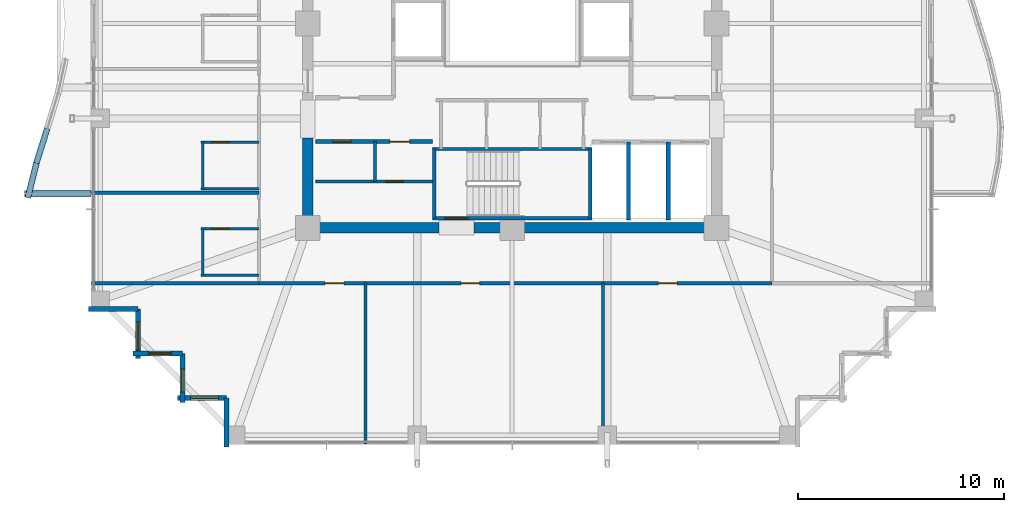
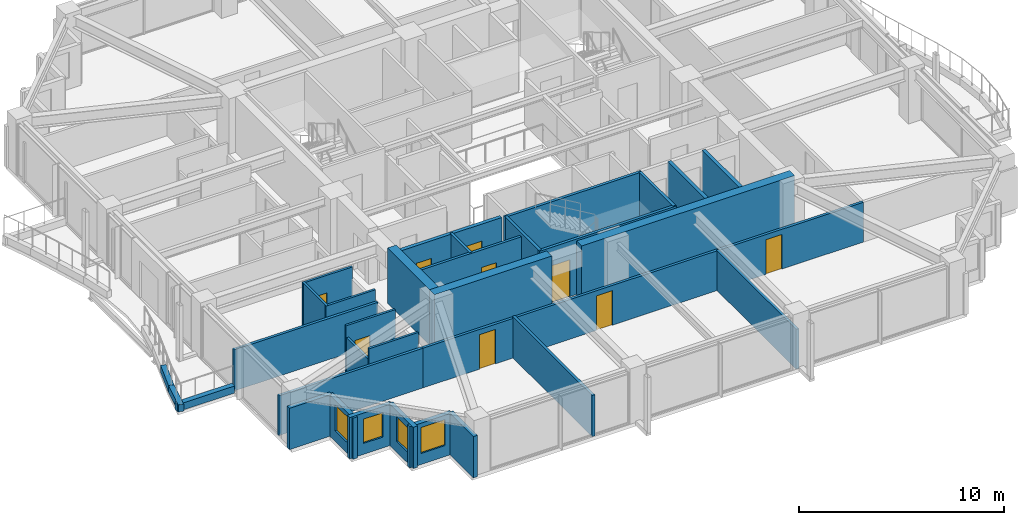
# One storey, part 29 of 35: 32 walls, 9 doors, 4 windows, 13 openings.
"""IFC4 building model written with IfcOpenShell, lengths in metres."""

from ifc_helpers import new_model, si_unit, direction, frame, frame_2d, origin, place, context, subcontext, project, spatial, rectangle, extrude, material, layer, layer_set, type_object, element, fill, save


model = new_model("IFC4")

# Units and contexts
model_context = context("Model", 3, precision=1e-05, world=origin(), true_north=direction((0.0, 1.0)))
body_context = subcontext(model_context, "Body", "Model", "MODEL_VIEW")
ifc_project = project(units=[si_unit("LENGTHUNIT", "METRE"), si_unit("AREAUNIT", "SQUARE_METRE"), si_unit("VOLUMEUNIT", "CUBIC_METRE"), si_unit("PLANEANGLEUNIT", "RADIAN"), si_unit("MASSUNIT", "GRAM", prefix="KILO")], contexts=[model_context])

# Site, building, storey
site_placement = place(None, origin())
site = spatial("IfcSite", under=ifc_project, at=site_placement, CompositionType="ELEMENT")
building_placement = place(site_placement, origin())
building = spatial("IfcBuilding", under=site, at=building_placement, Name="Kolvaren Belvedere", CompositionType="ELEMENT")
storey_placement = place(building_placement, frame((0.0, 0.0, 183.300048828125)))
storey = spatial("IfcBuildingStorey", under=building, at=storey_placement, Name="L53", CompositionType="ELEMENT", Elevation=183.300048828125)

# Walls
ifc_material_1 = material(Name="Concrete C50/60", Category="concrete")
ifc_layer_1 = layer(ifc_material_1, 0.5)
ifc_layer_set_1 = layer_set([ifc_layer_1], Name="Concrete C50/60")
wall_type_1 = type_object("IfcWallType", Name="CW-CORE-500", PredefinedType="SHEAR", material=ifc_layer_set_1)
wall_1_placement = place(storey_placement, frame((10.14990234375, -9.89990234375, 0.0), z_axis=(0.0, 0.0, 1.0), x_axis=(-1.0, 0.0, 0.0)))
element("IfcWall", 1, at=wall_1_placement, inside=storey, type_object=wall_type_1, Name="L53 South Core Shear Wall 1", PredefinedType="SHEAR", context=body_context, shape_type="SweptSolid", body=[
    extrude(rectangle(XDim=12.010009765625, YDim=0.5, at=frame_2d((6.0048828125, 0.0))), origin(), (0.0, 0.0, 1.0), 3.300048828125),
])
wall_2_placement = place(storey_placement, frame((-3.5400390625, -9.89990234375, 0.0), z_axis=(0.0, 0.0, 1.0), x_axis=(-1.0, 0.0, 0.0)))
element("IfcWall", 2, at=wall_2_placement, inside=storey, type_object=wall_type_1, Name="L53 South Core Shear Wall 2", PredefinedType="SHEAR", context=body_context, shape_type="SweptSolid", body=[
    extrude(rectangle(XDim=6.60986328125, YDim=0.5, at=frame_2d((3.304931640625, 0.0))), origin(), (0.0, 0.0, 1.0), 3.300048828125),
])
wall_3_placement = place(storey_placement, frame((-9.89990234375, -9.64990234375, 0.0), z_axis=(0.0, 0.0, 1.0), x_axis=(0.0, 1.0, 0.0)))
element("IfcWall", 3, at=wall_3_placement, inside=storey, type_object=wall_type_1, Name="L53 West Core Shear Wall 1", PredefinedType="SHEAR", context=body_context, shape_type="SweptSolid", body=[
    extrude(rectangle(XDim=4.099853515625, YDim=0.5, at=frame_2d((2.0498046875, 0.0))), origin(), (0.0, 0.0, 1.0), 3.300048828125),
])

# Wall, opening, door
ifc_material_2 = material(Name="Concrete C50/60", Category="concrete")
ifc_layer_2 = layer(ifc_material_2, 0.159912109375)
ifc_layer_set_2 = layer_set([ifc_layer_2], Name="Concrete C50/60")
wall_type_2 = type_object("IfcWallType", Name="CW-STAIR-160", PredefinedType="SHEAR", material=ifc_layer_set_2)
wall_4_placement = place(storey_placement, frame((3.860107421875, -9.429931640625, 0.0), z_axis=(0.0, 0.0, 1.0), x_axis=(-1.0, 0.0, 0.0)))
wall_4 = element("IfcWall", 4, at=wall_4_placement, inside=storey, type_object=wall_type_2, Name="L53 Stair ST-3 South Shear Wall", PredefinedType="SHEAR", context=body_context, shape_type="SweptSolid", body=[
    extrude(rectangle(XDim=7.72021484375, YDim=0.159912109375, at=frame_2d((3.860107421875, 0.0))), origin(), (0.0, 0.0, 1.0), 3.300048828125),
])
opening_1_placement = place(wall_4_placement, frame((6.010009765625, 0.0, 0.0)))
opening_1 = element("IfcOpeningElement", 5, at=opening_1_placement, cuts=wall_4, Name="Opening D-FD90", PredefinedType="OPENING", context=body_context, shape_type="SweptSolid", body=[
    extrude(rectangle(XDim=1.10009765625, YDim=2.199951171875, at=frame_2d((0.550048828125, 1.10009765625))), frame((0.0, 0.08984375, 0.0), z_axis=(0.0, -1.0, 0.0), x_axis=(1.0, 0.0, 0.0)), (0.0, 0.0, 1.0), 0.179931640625),
])
ifc_material_3 = material(Name="Painted hollow stainless steel", Category="steel")
door_type_1 = type_object("IfcDoorType", Name="DR-FD90-1100", OperationType="NOTDEFINED", PredefinedType="DOOR", material=ifc_material_3)
door_1_placement = place(opening_1_placement, origin())
door_1 = element("IfcDoor", 6, at=door_1_placement, inside=storey, type_object=door_type_1, Name="L53 Stair ST-3 Exit Door", OperationType="SINGLE_SWING_RIGHT", OverallHeight=2.199951171875, OverallWidth=1.10009765625, PredefinedType="DOOR", context=body_context, shape_type="SweptSolid", body=[
    extrude(rectangle(XDim=1.10009765625, YDim=2.199951171875, at=frame_2d((0.550048828125, 1.10009765625))), frame((0.0, 0.02490234375, 0.0), z_axis=(0.0, -1.0, 0.0), x_axis=(1.0, 0.0, 0.0)), (0.0, 0.0, 1.0), 0.050048828125),
])
fill(opening_1, door_1)

# Walls
wall_5_placement = place(storey_placement, frame((-3.860107421875, -6.080078125, 0.0), z_axis=(0.0, 0.0, 1.0), x_axis=(1.0, 0.0, 0.0)))
element("IfcWall", 7, at=wall_5_placement, inside=storey, type_object=wall_type_2, Name="L53 Stair ST-3 North Shear Wall", PredefinedType="SHEAR", context=body_context, shape_type="SweptSolid", body=[
    extrude(rectangle(XDim=7.72021484375, YDim=0.159912109375, at=frame_2d((3.860107421875, 0.0))), origin(), (0.0, 0.0, 1.0), 3.300048828125),
])
for number, where, z_axis, x_axis, name in (
    (8, (-3.780029296875, -9.429931640625, 0.0), (0.0, 0.0, 1.0), (0.0, 1.0, 0.0), "L53 Stair ST-3 West Shear Wall"),
    (9, (3.780029296875, -9.429931640625, 0.0), (0.0, 0.0, 1.0), (0.0, 1.0, 0.0), "L53 Stair ST-3 East Shear Wall"),
):
    element("IfcWall", number, at=place(storey_placement, frame(where, z_axis=z_axis, x_axis=x_axis)), inside=storey, type_object=wall_type_2, Name=name, PredefinedType="SHEAR", context=body_context, shape_type="SweptSolid", body=[
        extrude(rectangle(XDim=3.349853515625, YDim=0.159912109375, at=frame_2d((1.6748046875, 0.0))), origin(), (0.0, 0.0, 1.0), 3.300048828125),
    ])

# Wall, openings, doors
ifc_material_4 = material(Name="Gypsum fire-rated partition assembly", Category="gypsum")
ifc_layer_3 = layer(ifc_material_4, 0.14990234375)
ifc_layer_set_3 = layer_set([ifc_layer_3], Name="Gypsum fire-rated partition assembly")
wall_type_3 = type_object("IfcWallType", Name="WL-CORR-150", PredefinedType="PARTITIONING", material=ifc_layer_set_3)
wall_6_placement = place(storey_placement, frame((-12.260009765625, -12.580078125, 0.0), z_axis=(0.0, 0.0, 1.0), x_axis=(1.0, 0.0, 0.0)))
wall_6 = element("IfcWall", 10, at=wall_6_placement, inside=storey, type_object=wall_type_3, Name="L53 South Corridor Wall", PredefinedType="PARTITIONING", context=body_context, shape_type="SweptSolid", body=[
    extrude(rectangle(XDim=24.840087890625, YDim=0.14990234375, at=frame_2d((12.419921875, 0.0))), origin(), (0.0, 0.0, 1.0), 2.368896484375),
])
opening_2_placement = place(wall_6_placement, frame((3.203125, 0.0, 0.0)))
opening_2 = element("IfcOpeningElement", 11, at=opening_2_placement, cuts=wall_6, Name="Opening D-INT90", PredefinedType="OPENING", context=body_context, shape_type="SweptSolid", body=[
    extrude(rectangle(XDim=0.89990234375, YDim=2.06005859375, at=frame_2d((0.449951171875, 1.030029296875))), frame((0.0, 0.0849609375, 0.0), z_axis=(0.0, -1.0, 0.0), x_axis=(1.0, 0.0, 0.0)), (0.0, 0.0, 1.0), 0.169921875),
])
opening_3_placement = place(wall_6_placement, frame((9.780029296875, 0.0, 0.0)))
opening_3 = element("IfcOpeningElement", 12, at=opening_3_placement, cuts=wall_6, Name="Opening D-INT90", PredefinedType="OPENING", context=body_context, shape_type="SweptSolid", body=[
    extrude(rectangle(XDim=0.89990234375, YDim=2.06005859375, at=frame_2d((0.449951171875, 1.030029296875))), frame((0.0, 0.0849609375, 0.0), z_axis=(0.0, -1.0, 0.0), x_axis=(1.0, 0.0, 0.0)), (0.0, 0.0, 1.0), 0.169921875),
])
opening_4_placement = place(wall_6_placement, frame((19.344970703125, 0.0, 0.0)))
opening_4 = element("IfcOpeningElement", 13, at=opening_4_placement, cuts=wall_6, Name="Opening D-INT90", PredefinedType="OPENING", context=body_context, shape_type="SweptSolid", body=[
    extrude(rectangle(XDim=0.89990234375, YDim=2.06005859375, at=frame_2d((0.449951171875, 1.030029296875))), frame((0.0, 0.0849609375, 0.0), z_axis=(0.0, -1.0, 0.0), x_axis=(1.0, 0.0, 0.0)), (0.0, 0.0, 1.0), 0.169921875),
])
ifc_material_5 = material(Name="Stained Pacific white oak", Category="timber")
door_type_2 = type_object("IfcDoorType", Name="DR-INT-900", OperationType="NOTDEFINED", PredefinedType="DOOR", material=ifc_material_5)
door_2_placement = place(opening_2_placement, origin())
door_2 = element("IfcDoor", 14, at=door_2_placement, inside=storey, type_object=door_type_2, Name="L53 Wellness Yoga & Reading Gym 5301 Door", OperationType="SINGLE_SWING_LEFT", OverallHeight=2.06005859375, OverallWidth=0.89990234375, PredefinedType="DOOR", context=body_context, shape_type="SweptSolid", body=[
    extrude(rectangle(XDim=0.89990234375, YDim=2.06005859375, at=frame_2d((0.449951171875, 1.030029296875))), frame((0.0, 0.02490234375, 0.0), z_axis=(0.0, -1.0, 0.0), x_axis=(1.0, 0.0, 0.0)), (0.0, 0.0, 1.0), 0.050048828125),
])
fill(opening_2, door_2)
door_3_placement = place(opening_3_placement, origin())
door_3 = element("IfcDoor", 15, at=door_3_placement, inside=storey, type_object=door_type_2, Name="L53 Guest Tea & Espresso Kitchen 5302 Door", OperationType="SINGLE_SWING_RIGHT", OverallHeight=2.06005859375, OverallWidth=0.89990234375, PredefinedType="DOOR", context=body_context, shape_type="SweptSolid", body=[
    extrude(rectangle(XDim=0.89990234375, YDim=2.06005859375, at=frame_2d((0.449951171875, 1.030029296875))), frame((0.0, 0.02490234375, 0.0), z_axis=(0.0, -1.0, 0.0), x_axis=(1.0, 0.0, 0.0)), (0.0, 0.0, 1.0), 0.050048828125),
])
fill(opening_3, door_3)
door_4_placement = place(opening_4_placement, origin())
door_4 = element("IfcDoor", 16, at=door_4_placement, inside=storey, type_object=door_type_2, Name="L53 Lounge 5303 Door", OperationType="SINGLE_SWING_LEFT", OverallHeight=2.06005859375, OverallWidth=0.89990234375, PredefinedType="DOOR", context=body_context, shape_type="SweptSolid", body=[
    extrude(rectangle(XDim=0.89990234375, YDim=2.06005859375, at=frame_2d((0.449951171875, 1.030029296875))), frame((0.0, 0.02490234375, 0.0), z_axis=(0.0, -1.0, 0.0), x_axis=(1.0, 0.0, 0.0)), (0.0, 0.0, 1.0), 0.050048828125),
])
fill(opening_4, door_4)

# Wall
ifc_material_6 = material(Name="Insulated pale-metal facade wall assembly", Category="aluminium")
ifc_layer_4 = layer(ifc_material_6, 0.239990234375)
ifc_layer_set_4 = layer_set([ifc_layer_4], Name="Insulated pale-metal facade wall assembly")
wall_type_4 = type_object("IfcWallType", Name="WL-EXT-240", PredefinedType="STANDARD", material=ifc_layer_set_4)
wall_7_placement = place(storey_placement, frame((-18.1298828125, -13.830078125, 0.0), z_axis=(0.0, 0.0, 1.0), x_axis=(-1.0, 0.0, 0.0)))
element("IfcWall", 17, at=wall_7_placement, inside=storey, type_object=wall_type_4, Name="L53 Serrated Corner Facade Wall 23", PredefinedType="STANDARD", context=body_context, shape_type="SweptSolid", body=[
    extrude(rectangle(XDim=2.39013671875, YDim=0.239990234375, at=frame_2d((1.195068359375, 0.0))), origin(), (0.0, 0.0, 1.0), 2.462890625),
])

# Wall, opening, window
wall_8_placement = place(storey_placement, frame((-18.1298828125, -16.219970703125, 0.0), z_axis=(0.0, 0.0, 1.0), x_axis=(0.0, 1.0, 0.0)))
wall_8 = element("IfcWall", 18, at=wall_8_placement, inside=storey, type_object=wall_type_4, Name="L53 Serrated Corner Facade Wall 24", PredefinedType="STANDARD", context=body_context, shape_type="SweptSolid", body=[
    extrude(rectangle(XDim=2.389892578125, YDim=0.239990234375, at=frame_2d((1.19482421875, 0.0))), origin(), (0.0, 0.0, 1.0), 2.462890625),
])
opening_5_placement = place(wall_8_placement, frame((0.39990234375, 0.0, 0.64990234375)))
opening_5 = element("IfcOpeningElement", 19, at=opening_5_placement, cuts=wall_8, Name="Opening W-1350", PredefinedType="OPENING", context=body_context, shape_type="SweptSolid", body=[
    extrude(rectangle(XDim=1.35009765625, YDim=1.550048828125, at=frame_2d((0.675048828125, 0.77490234375))), frame((0.0, 0.1298828125, 0.0), z_axis=(0.0, -1.0, 0.0), x_axis=(1.0, 0.0, 0.0)), (0.0, 0.0, 1.0), 0.260009765625),
])
ifc_material_7 = material(Name="Low-iron triple insulated glass", Category="glass")
window_type_1 = type_object("IfcWindowType", Name="WN-CORN-1350", PartitioningType="SINGLE_PANEL", PredefinedType="WINDOW", material=ifc_material_7)
window_1_placement = place(opening_5_placement, origin())
window_1 = element("IfcWindow", 20, at=window_1_placement, inside=storey, type_object=window_type_1, Name="L53 Serrated Corner Vision Window 24", OverallHeight=1.550048828125, OverallWidth=1.35009765625, PartitioningType="SINGLE_PANEL", PredefinedType="WINDOW", context=body_context, shape_type="SweptSolid", body=[
    extrude(rectangle(XDim=1.35009765625, YDim=1.550048828125, at=frame_2d((0.675048828125, 0.77490234375))), frame((0.0, 0.030029296875, 0.0), z_axis=(0.0, -1.0, 0.0), x_axis=(1.0, 0.0, 0.0)), (0.0, 0.0, 1.0), 0.06005859375),
])
fill(opening_5, window_1)

wall_9_placement = place(storey_placement, frame((-15.97998046875, -15.97998046875, 0.0), z_axis=(0.0, 0.0, 1.0), x_axis=(-1.0, 0.0, 0.0)))
wall_9 = element("IfcWall", 21, at=wall_9_placement, inside=storey, type_object=wall_type_4, Name="L53 Serrated Corner Facade Wall 25", PredefinedType="STANDARD", context=body_context, shape_type="SweptSolid", body=[
    extrude(rectangle(XDim=2.39013671875, YDim=0.239990234375, at=frame_2d((1.195068359375, 0.0))), origin(), (0.0, 0.0, 1.0), 2.462890625),
])
opening_6_placement = place(wall_9_placement, frame((0.52490234375, 0.0, 0.64990234375)))
opening_6 = element("IfcOpeningElement", 22, at=opening_6_placement, cuts=wall_9, Name="Opening W-1100", PredefinedType="OPENING", context=body_context, shape_type="SweptSolid", body=[
    extrude(rectangle(XDim=1.10009765625, YDim=1.449951171875, at=frame_2d((0.550048828125, 0.72509765625))), frame((0.0, 0.1298828125, 0.0), z_axis=(0.0, -1.0, 0.0), x_axis=(1.0, 0.0, 0.0)), (0.0, 0.0, 1.0), 0.260009765625),
])
ifc_material_8 = material(Name="Low-iron triple insulated glass", Category="glass")
window_type_2 = type_object("IfcWindowType", Name="WN-CORN-1100", PartitioningType="SINGLE_PANEL", PredefinedType="WINDOW", material=ifc_material_8)
window_2_placement = place(opening_6_placement, origin())
window_2 = element("IfcWindow", 23, at=window_2_placement, inside=storey, type_object=window_type_2, Name="L53 Serrated Corner Vision Window 25", OverallHeight=1.449951171875, OverallWidth=1.10009765625, PartitioningType="SINGLE_PANEL", PredefinedType="WINDOW", context=body_context, shape_type="SweptSolid", body=[
    extrude(rectangle(XDim=1.10009765625, YDim=1.449951171875, at=frame_2d((0.550048828125, 0.72509765625))), frame((0.0, 0.030029296875, 0.0), z_axis=(0.0, -1.0, 0.0), x_axis=(1.0, 0.0, 0.0)), (0.0, 0.0, 1.0), 0.06005859375),
])
fill(opening_6, window_2)

wall_10_placement = place(storey_placement, frame((-15.97998046875, -18.3701171875, 0.0), z_axis=(0.0, 0.0, 1.0), x_axis=(0.0, 1.0, 0.0)))
wall_10 = element("IfcWall", 24, at=wall_10_placement, inside=storey, type_object=wall_type_4, Name="L53 Serrated Corner Facade Wall 26", PredefinedType="STANDARD", context=body_context, shape_type="SweptSolid", body=[
    extrude(rectangle(XDim=2.39013671875, YDim=0.239990234375, at=frame_2d((1.195068359375, 0.0))), origin(), (0.0, 0.0, 1.0), 2.462890625),
])
opening_7_placement = place(wall_10_placement, frame((0.52490234375, 0.0, 0.64990234375)))
opening_7 = element("IfcOpeningElement", 25, at=opening_7_placement, cuts=wall_10, Name="Opening W-1100", PredefinedType="OPENING", context=body_context, shape_type="SweptSolid", body=[
    extrude(rectangle(XDim=1.10009765625, YDim=1.449951171875, at=frame_2d((0.550048828125, 0.72509765625))), frame((0.0, 0.1298828125, 0.0), z_axis=(0.0, -1.0, 0.0), x_axis=(1.0, 0.0, 0.0)), (0.0, 0.0, 1.0), 0.260009765625),
])
window_3_placement = place(opening_7_placement, origin())
window_3 = element("IfcWindow", 26, at=window_3_placement, inside=storey, type_object=window_type_2, Name="L53 Serrated Corner Vision Window 26", OverallHeight=1.449951171875, OverallWidth=1.10009765625, PartitioningType="SINGLE_PANEL", PredefinedType="WINDOW", context=body_context, shape_type="SweptSolid", body=[
    extrude(rectangle(XDim=1.10009765625, YDim=1.449951171875, at=frame_2d((0.550048828125, 0.72509765625))), frame((0.0, 0.030029296875, 0.0), z_axis=(0.0, -1.0, 0.0), x_axis=(1.0, 0.0, 0.0)), (0.0, 0.0, 1.0), 0.06005859375),
])
fill(opening_7, window_3)

wall_11_placement = place(storey_placement, frame((-13.830078125, -18.1298828125, 0.0), z_axis=(0.0, 0.0, 1.0), x_axis=(-1.0, 0.0, 0.0)))
wall_11 = element("IfcWall", 27, at=wall_11_placement, inside=storey, type_object=wall_type_4, Name="L53 Serrated Corner Facade Wall 27", PredefinedType="STANDARD", context=body_context, shape_type="SweptSolid", body=[
    extrude(rectangle(XDim=2.389892578125, YDim=0.239990234375, at=frame_2d((1.19482421875, 0.0))), origin(), (0.0, 0.0, 1.0), 2.462890625),
])
opening_8_placement = place(wall_11_placement, frame((0.39990234375, 0.0, 0.64990234375)))
opening_8 = element("IfcOpeningElement", 28, at=opening_8_placement, cuts=wall_11, Name="Opening W-1350", PredefinedType="OPENING", context=body_context, shape_type="SweptSolid", body=[
    extrude(rectangle(XDim=1.35009765625, YDim=1.550048828125, at=frame_2d((0.675048828125, 0.77490234375))), frame((0.0, 0.1298828125, 0.0), z_axis=(0.0, -1.0, 0.0), x_axis=(1.0, 0.0, 0.0)), (0.0, 0.0, 1.0), 0.260009765625),
])
window_4_placement = place(opening_8_placement, origin())
window_4 = element("IfcWindow", 29, at=window_4_placement, inside=storey, type_object=window_type_1, Name="L53 Serrated Corner Vision Window 27", OverallHeight=1.550048828125, OverallWidth=1.35009765625, PartitioningType="SINGLE_PANEL", PredefinedType="WINDOW", context=body_context, shape_type="SweptSolid", body=[
    extrude(rectangle(XDim=1.35009765625, YDim=1.550048828125, at=frame_2d((0.675048828125, 0.77490234375))), frame((0.0, 0.030029296875, 0.0), z_axis=(0.0, -1.0, 0.0), x_axis=(1.0, 0.0, 0.0)), (0.0, 0.0, 1.0), 0.06005859375),
])
fill(opening_8, window_4)

# Wall
wall_12_placement = place(storey_placement, frame((-13.830078125, -20.52001953125, 0.0), z_axis=(0.0, 0.0, 1.0), x_axis=(0.0, 1.0, 0.0)))
element("IfcWall", 30, at=wall_12_placement, inside=storey, type_object=wall_type_4, Name="L53 Serrated Corner Facade Wall 28", PredefinedType="STANDARD", context=body_context, shape_type="SweptSolid", body=[
    extrude(rectangle(XDim=2.39013671875, YDim=0.239990234375, at=frame_2d((1.195068359375, 0.0))), origin(), (0.0, 0.0, 1.0), 2.462890625),
])

# Wall, opening, door
ifc_material_9 = material(Name="Gypsum acoustic partition assembly", Category="gypsum")
ifc_layer_5 = layer(ifc_material_9, 0.14990234375)
ifc_layer_set_5 = layer_set([ifc_layer_5], Name="Gypsum acoustic partition assembly")
wall_type_5 = type_object("IfcWallType", Name="WL-PART-150", PredefinedType="PARTITIONING", material=ifc_layer_set_5)
wall_13_placement = place(storey_placement, frame((-9.52001953125, -7.64990234375, 0.0), z_axis=(0.0, 0.0, 1.0), x_axis=(1.0, 0.0, 0.0)))
wall_13 = element("IfcWall", 31, at=wall_13_placement, inside=storey, type_object=wall_type_5, Name="L53 Reclaimed Mid H-Divider", PredefinedType="PARTITIONING", context=body_context, shape_type="SweptSolid", body=[
    extrude(rectangle(XDim=5.659912109375, YDim=0.14990234375, at=frame_2d((2.830078125, 0.0))), origin(), (0.0, 0.0, 1.0), 3.079833984375),
])
opening_9_placement = place(wall_13_placement, frame((3.39990234375, 0.0, 0.0)))
opening_9 = element("IfcOpeningElement", 32, at=opening_9_placement, cuts=wall_13, Name="Opening D-INT85", PredefinedType="OPENING", context=body_context, shape_type="SweptSolid", body=[
    extrude(rectangle(XDim=0.85009765625, YDim=2.030029296875, at=frame_2d((0.425048828125, 1.01513671875))), frame((0.0, 0.0849609375, 0.0), z_axis=(0.0, -1.0, 0.0), x_axis=(1.0, 0.0, 0.0)), (0.0, 0.0, 1.0), 0.169921875),
])
ifc_material_10 = material(Name="Stained Pacific white oak", Category="timber")
door_type_3 = type_object("IfcDoorType", Name="DR-INT-850", OperationType="NOTDEFINED", PredefinedType="DOOR", material=ifc_material_10)
door_5_placement = place(opening_9_placement, origin())
door_5 = element("IfcDoor", 33, at=door_5_placement, inside=storey, type_object=door_type_3, Name="L53 Tea Pantry Door", OperationType="SINGLE_SWING_LEFT", OverallHeight=2.030029296875, OverallWidth=0.85009765625, PredefinedType="DOOR", context=body_context, shape_type="SweptSolid", body=[
    extrude(rectangle(XDim=0.85009765625, YDim=2.030029296875, at=frame_2d((0.425048828125, 1.01513671875))), frame((0.0, 0.02490234375, 0.0), z_axis=(0.0, -1.0, 0.0), x_axis=(1.0, 0.0, 0.0)), (0.0, 0.0, 1.0), 0.050048828125),
])
fill(opening_9, door_5)

# Walls
wall_14_placement = place(storey_placement, frame((-6.64990234375, -7.64990234375, 0.0), z_axis=(0.0, 0.0, 1.0), x_axis=(0.0, 1.0, 0.0)))
element("IfcWall", 34, at=wall_14_placement, inside=storey, type_object=wall_type_5, Name="L53 Reclaimed Mid V-Divider", PredefinedType="PARTITIONING", context=body_context, shape_type="SweptSolid", body=[
    extrude(rectangle(XDim=1.929931640625, YDim=0.14990234375, at=frame_2d((0.96484375, 0.0))), origin(), (0.0, 0.0, 1.0), 3.079833984375),
])
wall_15_placement = place(storey_placement, frame((-20.3798828125, -12.580078125, 0.0), z_axis=(0.0, 0.0, 1.0), x_axis=(1.0, 0.0, 0.0)))
element("IfcWall", 35, at=wall_15_placement, inside=storey, type_object=wall_type_5, Name="L53 Wing Divider PW-L53-QSW", PredefinedType="PARTITIONING", context=body_context, shape_type="SweptSolid", body=[
    extrude(rectangle(XDim=8.119873046875, YDim=0.14990234375, at=frame_2d((4.06005859375, 0.0))), origin(), (0.0, 0.0, 1.0), 2.368896484375),
])
wall_16_placement = place(storey_placement, frame((-7.10009765625, -20.3798828125, 0.0), z_axis=(0.0, 0.0, 1.0), x_axis=(0.0, 1.0, 0.0)))
element("IfcWall", 36, at=wall_16_placement, inside=storey, type_object=wall_type_5, Name="L53 South Suite Demising Wall 1", PredefinedType="PARTITIONING", context=body_context, shape_type="SweptSolid", body=[
    extrude(rectangle(XDim=7.7998046875, YDim=0.14990234375, at=frame_2d((3.89990234375, 0.0))), origin(), (0.0, 0.0, 1.0), 2.452880859375),
])
wall_17_placement = place(storey_placement, frame((4.39990234375, -20.3798828125, 0.0), z_axis=(0.0, 0.0, 1.0), x_axis=(0.0, 1.0, 0.0)))
element("IfcWall", 37, at=wall_17_placement, inside=storey, type_object=wall_type_5, Name="L53 South Suite Demising Wall 2", PredefinedType="PARTITIONING", context=body_context, shape_type="SweptSolid", body=[
    extrude(rectangle(XDim=7.7998046875, YDim=0.14990234375, at=frame_2d((3.89990234375, 0.0))), origin(), (0.0, 0.0, 1.0), 2.368896484375),
])
wall_18_placement = place(storey_placement, frame((-20.3798828125, -8.199951171875, 0.0), z_axis=(0.0, 0.0, 1.0), x_axis=(1.0, 0.0, 0.0)))
element("IfcWall", 38, at=wall_18_placement, inside=storey, type_object=wall_type_5, Name="L53 West Suite Demising Wall 1", PredefinedType="PARTITIONING", context=body_context, shape_type="SweptSolid", body=[
    extrude(rectangle(XDim=8.119873046875, YDim=0.14990234375, at=frame_2d((4.06005859375, 0.0))), origin(), (0.0, 0.0, 1.0), 2.452880859375),
])
ifc_material_11 = material(Name="Precast concrete C40/50", Category="concrete")
ifc_layer_6 = layer(ifc_material_11, 0.300048828125)
ifc_layer_set_6 = layer_set([ifc_layer_6], Name="Precast concrete C40/50")
wall_type_6 = type_object("IfcWallType", Name="WL-PLANTER-300", PredefinedType="PARAPET", material=ifc_layer_set_6)
wall_19_placement = place(storey_placement, frame((-22.51953125, -5.087890625, -0.0400390625), z_axis=(0.0, 0.0, 1.0), x_axis=(-0.299624691176, -0.954057149461, 0.0)))
element("IfcWall", 39, at=wall_19_placement, inside=storey, type_object=wall_type_6, Name="L53 Precast Structural Planter Wall BAL-W-9", PredefinedType="PARAPET", context=body_context, shape_type="SweptSolid", body=[
    extrude(rectangle(XDim=1.7607421875, YDim=0.280029296875, at=frame_2d((0.88037109375, 0.0))), origin(), (0.0, 0.0, 1.0), 0.419921875),
])
wall_20_placement = place(storey_placement, frame((-23.04443359375, -6.75830078125, -0.0400390625), z_axis=(0.0, 0.0, 1.0), x_axis=(-0.239180748277, -0.970975061293, 0.0)))
element("IfcWall", 40, at=wall_20_placement, inside=storey, type_object=wall_type_6, Name="L53 Precast Structural Planter Wall BAL-W-10", PredefinedType="PARAPET", context=body_context, shape_type="SweptSolid", body=[
    extrude(rectangle(XDim=1.730224609375, YDim=0.280029296875, at=frame_2d((0.865234375, 0.0))), origin(), (0.0, 0.0, 1.0), 0.419921875),
])
wall_21_placement = place(storey_placement, frame((-23.61376953125, -8.239990234375, -0.0400390625), z_axis=(0.0, 0.0, 1.0), x_axis=(1.0, 0.0, 0.0)))
element("IfcWall", 41, at=wall_21_placement, inside=storey, type_object=wall_type_6, Name="L53 Precast Structural Planter Wall BAL-W-11", PredefinedType="PARAPET", context=body_context, shape_type="SweptSolid", body=[
    extrude(rectangle(XDim=3.2138671875, YDim=0.280029296875, at=frame_2d((1.60693359375, 0.0))), origin(), (0.0, 0.0, 1.0), 0.419921875),
])

# Wall, openings, doors
ifc_material_12 = material(Name="Concrete C50/60", Category="concrete")
ifc_layer_7 = layer(ifc_material_12, 0.199951171875)
ifc_layer_set_7 = layer_set([ifc_layer_7], Name="Concrete C50/60")
wall_type_7 = type_object("IfcWallType", Name="WL-SHAFT-200", PredefinedType="SOLIDWALL", material=ifc_layer_set_7)
wall_22_placement = place(storey_placement, frame((-9.52001953125, -5.719970703125, 0.0), z_axis=(0.0, 0.0, 1.0), x_axis=(1.0, 0.0, 0.0)))
wall_22 = element("IfcWall", 42, at=wall_22_placement, inside=storey, type_object=wall_type_7, Name="L53 Reclaimed Mid Room North Wall", PredefinedType="SOLIDWALL", context=body_context, shape_type="SweptSolid", body=[
    extrude(rectangle(XDim=5.659912109375, YDim=0.199951171875, at=frame_2d((2.830078125, 0.0))), origin(), (0.0, 0.0, 1.0), 3.079833984375),
])
opening_10_placement = place(wall_22_placement, frame((3.60009765625, 0.0, 0.0)))
opening_10 = element("IfcOpeningElement", 43, at=opening_10_placement, cuts=wall_22, Name="Opening D-FD60", PredefinedType="OPENING", context=body_context, shape_type="SweptSolid", body=[
    extrude(rectangle(XDim=0.949951171875, YDim=2.06005859375, at=frame_2d((0.47509765625, 1.030029296875))), frame((0.0, 0.10986328125, 0.0), z_axis=(0.0, -1.0, 0.0), x_axis=(1.0, 0.0, 0.0)), (0.0, 0.0, 1.0), 0.219970703125),
])
opening_11_placement = place(wall_22_placement, frame((0.85009765625, 0.0, 0.0)))
opening_11 = element("IfcOpeningElement", 44, at=opening_11_placement, cuts=wall_22, Name="Opening D-INT85", PredefinedType="OPENING", context=body_context, shape_type="SweptSolid", body=[
    extrude(rectangle(XDim=0.85009765625, YDim=2.030029296875, at=frame_2d((0.425048828125, 1.01513671875))), frame((0.0, 0.10986328125, 0.0), z_axis=(0.0, -1.0, 0.0), x_axis=(1.0, 0.0, 0.0)), (0.0, 0.0, 1.0), 0.219970703125),
])
ifc_material_13 = material(Name="Acoustic white-oak fire door leaf", Category="timber")
door_type_4 = type_object("IfcDoorType", Name="DR-FD60-950", OperationType="NOTDEFINED", PredefinedType="DOOR", material=ifc_material_13)
door_6_placement = place(opening_10_placement, origin())
door_6 = element("IfcDoor", 45, at=door_6_placement, inside=storey, type_object=door_type_4, Name="L53 Wellness Salon Door", OperationType="SINGLE_SWING_LEFT", OverallHeight=2.06005859375, OverallWidth=0.949951171875, PredefinedType="DOOR", context=body_context, shape_type="SweptSolid", body=[
    extrude(rectangle(XDim=0.949951171875, YDim=2.06005859375, at=frame_2d((0.47509765625, 1.030029296875))), frame((0.0, 0.02490234375, 0.0), z_axis=(0.0, -1.0, 0.0), x_axis=(1.0, 0.0, 0.0)), (0.0, 0.0, 1.0), 0.050048828125),
])
fill(opening_10, door_6)
door_7_placement = place(opening_11_placement, origin())
door_7 = element("IfcDoor", 46, at=door_7_placement, inside=storey, type_object=door_type_3, Name="L53 Linen Closet Door", OperationType="SINGLE_SWING_RIGHT", OverallHeight=2.030029296875, OverallWidth=0.85009765625, PredefinedType="DOOR", context=body_context, shape_type="SweptSolid", body=[
    extrude(rectangle(XDim=0.85009765625, YDim=2.030029296875, at=frame_2d((0.425048828125, 1.01513671875))), frame((0.0, 0.02490234375, 0.0), z_axis=(0.0, -1.0, 0.0), x_axis=(1.0, 0.0, 0.0)), (0.0, 0.0, 1.0), 0.050048828125),
])
fill(opening_11, door_7)

# Walls
for number, where, z_axis, x_axis, name in (
    (47, (5.6298828125, -9.52001953125, 0.0), (0.0, 0.0, 1.0), (0.0, 1.0, 0.0), "L53 High-Rise Hoistway Divider 1"),
    (48, (7.56005859375, -9.52001953125, 0.0), (0.0, 0.0, 1.0), (0.0, 1.0, 0.0), "L53 High-Rise Hoistway Divider 2"),
):
    element("IfcWall", number, at=place(storey_placement, frame(where, z_axis=z_axis, x_axis=x_axis)), inside=storey, type_object=wall_type_7, Name=name, PredefinedType="SOLIDWALL", context=body_context, shape_type="SweptSolid", body=[
        extrude(rectangle(XDim=3.77001953125, YDim=0.199951171875, at=frame_2d((1.885009765625, 0.0))), origin(), (0.0, 0.0, 1.0), 3.079833984375),
    ])

# Wall, opening, door
ifc_material_14 = material(Name="Moisture-resistant gypsum partition", Category="gypsum")
ifc_layer_8 = layer(ifc_material_14, 0.125)
ifc_layer_set_8 = layer_set([ifc_layer_8], Name="Moisture-resistant gypsum partition")
wall_type_8 = type_object("IfcWallType", Name="WL-WET-125", PredefinedType="PARTITIONING", material=ifc_layer_set_8)
wall_23_placement = place(storey_placement, frame((-15.06494140625, -9.950927734375, 0.0), z_axis=(0.0, 0.0, 1.0), x_axis=(1.0, 0.0, 0.0)))
wall_23 = element("IfcWall", 49, at=wall_23_placement, inside=storey, type_object=wall_type_8, Name="L53 Bathroom Partition PW-L53-BTH-6-N", PredefinedType="PARTITIONING", context=body_context, shape_type="SweptSolid", body=[
    extrude(rectangle(XDim=2.7900390625, YDim=0.125, at=frame_2d((1.39501953125, 0.0))), origin(), (0.0, 0.0, 1.0), 3.079833984375),
])
opening_12_placement = place(wall_23_placement, frame((0.5, 0.0, 0.0)))
opening_12 = element("IfcOpeningElement", 50, at=opening_12_placement, cuts=wall_23, Name="Opening D-BTH85", PredefinedType="OPENING", context=body_context, shape_type="SweptSolid", body=[
    extrude(rectangle(XDim=0.85009765625, YDim=2.030029296875, at=frame_2d((0.425048828125, 1.01513671875))), frame((0.0, 0.072509765625, 0.0), z_axis=(0.0, -1.0, 0.0), x_axis=(1.0, 0.0, 0.0)), (0.0, 0.0, 1.0), 0.14501953125),
])
ifc_material_15 = material(Name="Moisture-sealed Pacific white oak", Category="timber")
door_type_5 = type_object("IfcDoorType", Name="DR-BATH-850", OperationType="NOTDEFINED", PredefinedType="DOOR", material=ifc_material_15)
door_8_placement = place(opening_12_placement, origin())
door_8 = element("IfcDoor", 51, at=door_8_placement, inside=storey, type_object=door_type_5, Name="L53 En-Suite Bathroom 5306 Door", OperationType="SINGLE_SWING_RIGHT", OverallHeight=2.030029296875, OverallWidth=0.85009765625, PredefinedType="DOOR", context=body_context, shape_type="SweptSolid", body=[
    extrude(rectangle(XDim=0.85009765625, YDim=2.030029296875, at=frame_2d((0.425048828125, 1.01513671875))), frame((0.0, 0.02490234375, 0.0), z_axis=(0.0, -1.0, 0.0), x_axis=(1.0, 0.0, 0.0)), (0.0, 0.0, 1.0), 0.050048828125),
])
fill(opening_12, door_8)

# Walls
wall_24_placement = place(storey_placement, frame((-14.985107421875, -12.260986328125, 0.0), z_axis=(0.0, 0.0, 1.0), x_axis=(0.0, 1.0, 0.0)))
element("IfcWall", 52, at=wall_24_placement, inside=storey, type_object=wall_type_8, Name="L53 Bathroom Partition PW-L53-BTH-6-V", PredefinedType="PARTITIONING", context=body_context, shape_type="SweptSolid", body=[
    extrude(rectangle(XDim=2.369873046875, YDim=0.125, at=frame_2d((1.18505859375, 0.0))), origin(), (0.0, 0.0, 1.0), 2.368896484375),
])
wall_25_placement = place(storey_placement, frame((-15.06494140625, -12.200927734375, 0.0), z_axis=(0.0, 0.0, 1.0), x_axis=(1.0, 0.0, 0.0)))
element("IfcWall", 53, at=wall_25_placement, inside=storey, type_object=wall_type_8, Name="L53 Bathroom Partition PW-L53-BTH-6-S", PredefinedType="PARTITIONING", context=body_context, shape_type="SweptSolid", body=[
    extrude(rectangle(XDim=2.7900390625, YDim=0.125, at=frame_2d((1.39501953125, 0.0))), origin(), (0.0, 0.0, 1.0), 3.079833984375),
])

# Wall, opening, door
wall_26_placement = place(storey_placement, frame((-15.06494140625, -5.7548828125, 0.0), z_axis=(0.0, 0.0, 1.0), x_axis=(1.0, 0.0, 0.0)))
wall_26 = element("IfcWall", 54, at=wall_26_placement, inside=storey, type_object=wall_type_8, Name="L53 Bathroom Partition PW-L53-BTH-7-N", PredefinedType="PARTITIONING", context=body_context, shape_type="SweptSolid", body=[
    extrude(rectangle(XDim=2.7900390625, YDim=0.125, at=frame_2d((1.39501953125, 0.0))), origin(), (0.0, 0.0, 1.0), 3.079833984375),
])
opening_13_placement = place(wall_26_placement, frame((0.5, 0.0, 0.0)))
opening_13 = element("IfcOpeningElement", 55, at=opening_13_placement, cuts=wall_26, Name="Opening D-BTH85", PredefinedType="OPENING", context=body_context, shape_type="SweptSolid", body=[
    extrude(rectangle(XDim=0.85009765625, YDim=2.030029296875, at=frame_2d((0.425048828125, 1.01513671875))), frame((0.0, 0.072509765625, 0.0), z_axis=(0.0, -1.0, 0.0), x_axis=(1.0, 0.0, 0.0)), (0.0, 0.0, 1.0), 0.14501953125),
])
door_9_placement = place(opening_13_placement, origin())
door_9 = element("IfcDoor", 56, at=door_9_placement, inside=storey, type_object=door_type_5, Name="L53 En-Suite Bathroom 5307 Door", OperationType="SINGLE_SWING_RIGHT", OverallHeight=2.030029296875, OverallWidth=0.85009765625, PredefinedType="DOOR", context=body_context, shape_type="SweptSolid", body=[
    extrude(rectangle(XDim=0.85009765625, YDim=2.030029296875, at=frame_2d((0.425048828125, 1.01513671875))), frame((0.0, 0.02490234375, 0.0), z_axis=(0.0, -1.0, 0.0), x_axis=(1.0, 0.0, 0.0)), (0.0, 0.0, 1.0), 0.050048828125),
])
fill(opening_13, door_9)

# Walls
wall_27_placement = place(storey_placement, frame((-14.985107421875, -8.06494140625, 0.0), z_axis=(0.0, 0.0, 1.0), x_axis=(0.0, 1.0, 0.0)))
element("IfcWall", 57, at=wall_27_placement, inside=storey, type_object=wall_type_8, Name="L53 Bathroom Partition PW-L53-BTH-7-V", PredefinedType="PARTITIONING", context=body_context, shape_type="SweptSolid", body=[
    extrude(rectangle(XDim=2.369873046875, YDim=0.125, at=frame_2d((1.18505859375, 0.0))), origin(), (0.0, 0.0, 1.0), 3.079833984375),
])
wall_28_placement = place(storey_placement, frame((-15.06494140625, -8.0048828125, 0.0), z_axis=(0.0, 0.0, 1.0), x_axis=(1.0, 0.0, 0.0)))
element("IfcWall", 58, at=wall_28_placement, inside=storey, type_object=wall_type_8, Name="L53 Bathroom Partition PW-L53-BTH-7-S", PredefinedType="PARTITIONING", context=body_context, shape_type="SweptSolid", body=[
    extrude(rectangle(XDim=2.7900390625, YDim=0.125, at=frame_2d((1.39501953125, 0.0))), origin(), (0.0, 0.0, 1.0), 3.079833984375),
])

save(model, "model.ifc")
